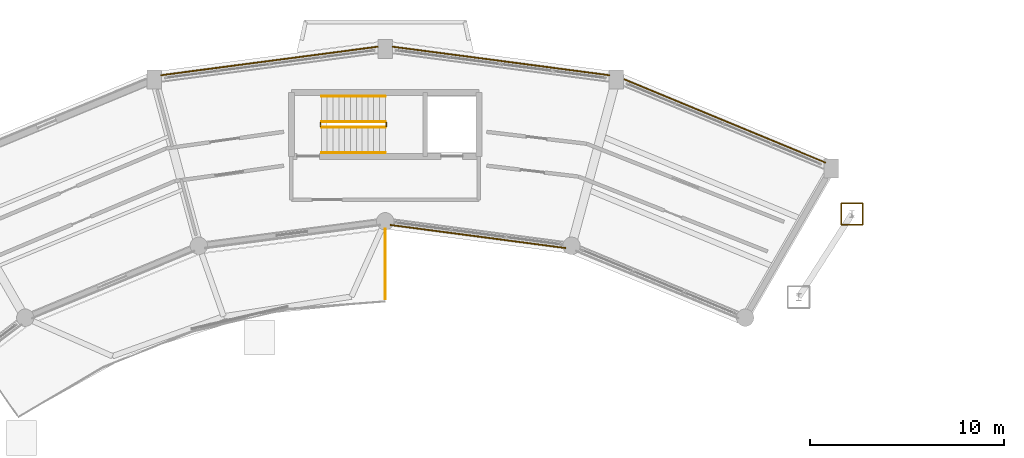
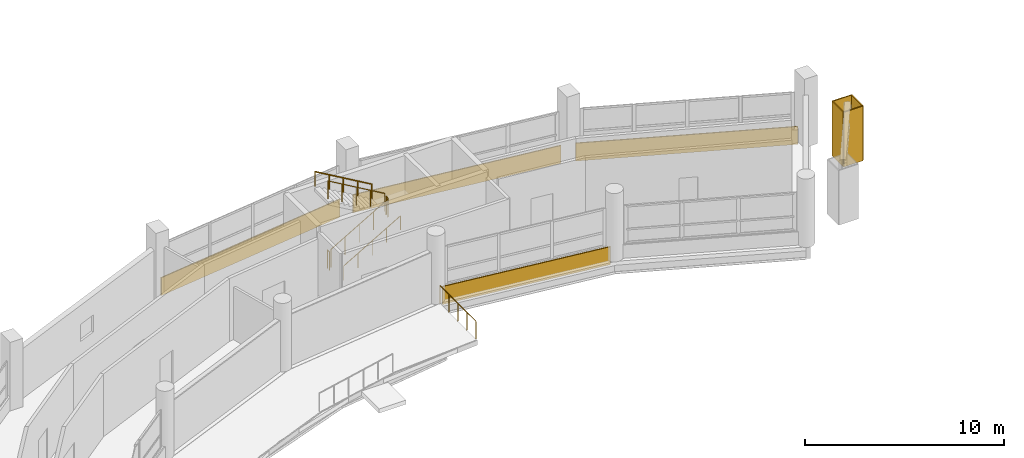
# One storey, part 126 of 128: 8 coverings, 7 railings.
"""IFC4 building model written with IfcOpenShell, lengths in metres."""

from ifc_helpers import new_model, si_unit, direction, frame, frame_2d, origin, origin_2d, place, context, subcontext, project, spatial, rectangle, circle, extrude, material, layer, layer_set, type_object, element, save


model = new_model("IFC4")

# Units and contexts
model_context = context("Model", 3, precision=1e-05, world=origin(), true_north=direction((0.0, 1.0)))
body_context = subcontext(model_context, "Body", "Model", "MODEL_VIEW")
ifc_project = project(units=[si_unit("LENGTHUNIT", "METRE"), si_unit("AREAUNIT", "SQUARE_METRE"), si_unit("VOLUMEUNIT", "CUBIC_METRE"), si_unit("PLANEANGLEUNIT", "RADIAN"), si_unit("MASSUNIT", "GRAM", prefix="KILO")], contexts=[model_context])

# Site, building, storey
site_placement = place(None, origin())
site = spatial("IfcSite", under=ifc_project, at=site_placement, CompositionType="ELEMENT")
building_placement = place(site_placement, origin())
building = spatial("IfcBuilding", under=site, at=building_placement, Name="Vespera Passage Community Centre", CompositionType="ELEMENT")
storey_placement = place(building_placement, frame((0.0, 0.0, 4.5)))
storey = spatial("IfcBuildingStorey", under=building, at=storey_placement, Name="L01", CompositionType="ELEMENT", Elevation=4.5)

# Coverings
ifc_material_1 = material(Name="Precast concrete f'c 40 MPa", Category="concrete")
ifc_layer = layer(ifc_material_1, 0.06005859375)
ifc_layer_set = layer_set([ifc_layer], Name="Precast concrete f'c 40 MPa")
covering_type = type_object("IfcCoveringType", Name="COV-CLAD-60E", PredefinedType="CLADDING", material=ifc_layer_set)
covering_1_placement = place(storey_placement, frame((101.561767578125, 102.513427734375, 0.0), z_axis=(0.0, 0.0, 1.0), x_axis=(1.0, 0.0, 0.0)))
element("IfcCovering", 1, at=covering_1_placement, inside=storey, type_object=covering_type, Name="Pylon 3.82 TO L01 White Architectural Casing 1", PredefinedType="CLADDING", context=body_context, shape_type="SweptSolid", body=[
    extrude(rectangle(XDim=1.119873046875, YDim=0.06005859375, at=frame_2d((0.56005859375, 0.0))), origin(), (0.0, 0.0, 1.0), 3.35009765625),
])
covering_2_placement = place(storey_placement, frame((102.681640625, 102.513427734375, 0.0), z_axis=(0.0, 0.0, 1.0), x_axis=(0.0, 1.0, 0.0)))
element("IfcCovering", 2, at=covering_2_placement, inside=storey, type_object=covering_type, Name="Pylon 3.82 TO L01 White Architectural Casing 2", PredefinedType="CLADDING", context=body_context, shape_type="SweptSolid", body=[
    extrude(rectangle(XDim=1.1201171875, YDim=0.06005859375, at=frame_2d((0.56005859375, 0.0))), origin(), (0.0, 0.0, 1.0), 3.35009765625),
])
covering_3_placement = place(storey_placement, frame((102.681640625, 103.633544921875, 0.0), z_axis=(0.0, 0.0, 1.0), x_axis=(-1.0, 0.0, 0.0)))
element("IfcCovering", 3, at=covering_3_placement, inside=storey, type_object=covering_type, Name="Pylon 3.82 TO L01 White Architectural Casing 3", PredefinedType="CLADDING", context=body_context, shape_type="SweptSolid", body=[
    extrude(rectangle(XDim=1.119873046875, YDim=0.06005859375, at=frame_2d((0.56005859375, 0.0))), origin(), (0.0, 0.0, 1.0), 3.35009765625),
])
covering_4_placement = place(storey_placement, frame((101.561767578125, 103.633544921875, 0.0), z_axis=(0.0, 0.0, 1.0), x_axis=(0.0, -1.0, 0.0)))
element("IfcCovering", 4, at=covering_4_placement, inside=storey, type_object=covering_type, Name="Pylon 3.82 TO L01 White Architectural Casing 4", PredefinedType="CLADDING", context=body_context, shape_type="SweptSolid", body=[
    extrude(rectangle(XDim=1.1201171875, YDim=0.06005859375, at=frame_2d((0.56005859375, 0.0))), origin(), (0.0, 0.0, 1.0), 3.35009765625),
])
covering_5_placement = place(storey_placement, frame((90.3486328125, 110.04052734375, -0.280029296875), z_axis=(0.0, 0.0, 1.0), x_axis=(0.923883530636, -0.382673779896, 0.0)))
element("IfcCovering", 5, at=covering_5_placement, inside=storey, type_object=covering_type, Name="V4 L01 Outer White Spandrel Band O4", PredefinedType="CLADDING", context=body_context, shape_type="SweptSolid", body=[
    extrude(rectangle(XDim=11.2724609375, YDim=0.06005859375, at=frame_2d((5.63623046875, 0.0))), origin(), (0.0, 0.0, 1.0), 1.10009765625),
])
covering_6_placement = place(storey_placement, frame((78.372314453125, 111.722412109375, -0.280029296875), z_axis=(0.0, 0.0, 1.0), x_axis=(0.991446004399, -0.130517509785, 0.0)))
element("IfcCovering", 6, at=covering_6_placement, inside=storey, type_object=covering_type, Name="V4 L01 Outer White Spandrel Band O5", PredefinedType="CLADDING", context=body_context, shape_type="SweptSolid", body=[
    extrude(rectangle(XDim=11.328125, YDim=0.06005859375, at=frame_2d((5.6640625, 0.0))), origin(), (0.0, 0.0, 1.0), 1.10009765625),
])
covering_7_placement = place(storey_placement, frame((87.332763671875, 101.31494140625, -0.280029296875), z_axis=(0.0, 0.0, 1.0), x_axis=(-0.99144567161, 0.13052003772, 0.0)))
element("IfcCovering", 7, at=covering_7_placement, inside=storey, type_object=covering_type, Name="V4 L01 Inner Court White Spandrel Band I5", PredefinedType="CLADDING", context=body_context, shape_type="SweptSolid", body=[
    extrude(rectangle(XDim=9.15625, YDim=0.06005859375, at=frame_2d((4.578125, 0.0))), origin(), (0.0, 0.0, 1.0), 1.10009765625),
])
covering_8_placement = place(storey_placement, frame((66.396484375, 110.243896484375, -0.280029296875), z_axis=(0.0, 0.0, 1.0), x_axis=(0.991446004399, 0.130517509785, 0.0)))
element("IfcCovering", 8, at=covering_8_placement, inside=storey, type_object=covering_type, Name="V4 L01 Outer White Spandrel Band O6", PredefinedType="CLADDING", context=body_context, shape_type="SweptSolid", body=[
    extrude(rectangle(XDim=11.328125, YDim=0.06005859375, at=frame_2d((5.6640625, 0.0))), origin(), (0.0, 0.0, 1.0), 1.10009765625),
])

# Railings
ifc_material_2 = material(Name="Steel ASTM A500 Grade C", Category="steel")
railing_type_1 = type_object("IfcRailingType", Name="RL-EXT-1100E", PredefinedType="GUARDRAIL", material=ifc_material_2)
railing_1_placement = place(storey_placement, frame((78.0, 102.300048828125, 0.0)))
element("IfcRailing", 9, at=railing_1_placement, inside=storey, type_object=railing_type_1, Name="Courtyard Gallery Terrace East End Guard", PredefinedType="GUARDRAIL", context=body_context, shape_type="SweptSolid", body=[
    extrude(circle(Radius=0.02392578125, at=origin_2d()), frame((0.0, 0.0, 1.09619140625), z_axis=(0.0, -1.0, 0.0), x_axis=(1.0, 0.0, 0.0)), (0.0, 0.0, 1.0), 3.6201171875),
    extrude(circle(Radius=0.02099609375, at=origin_2d()), origin(), (0.0, 0.0, 1.0), 1.072021484375),
    extrude(circle(Radius=0.02099609375, at=origin_2d()), frame((0.0, -0.905029296875, 0.0)), (0.0, 0.0, 1.0), 1.072021484375),
    extrude(circle(Radius=0.02099609375, at=origin_2d()), frame((0.0, -1.81005859375, 0.0)), (0.0, 0.0, 1.0), 1.072021484375),
    extrude(circle(Radius=0.02099609375, at=origin_2d()), frame((0.0, -2.715087890625, 0.0)), (0.0, 0.0, 1.0), 1.072021484375),
    extrude(circle(Radius=0.02099609375, at=origin_2d()), frame((0.0, -3.6201171875, 0.0)), (0.0, 0.0, 1.0), 1.072021484375),
])
ifc_material_3 = material(Name="Steel ASTM A500 Grade C", Category="steel")
railing_type_2 = type_object("IfcRailingType", Name="RL-HAND-900I", PredefinedType="HANDRAIL", material=ifc_material_3)
railing_2_placement = place(storey_placement, frame((74.705078125, 106.25, 0.175048828125)))
element("IfcRailing", 10, at=railing_2_placement, inside=storey, type_object=railing_type_2, Name="L01 ST06 stair handrail 1", PredefinedType="HANDRAIL", context=body_context, shape_type="SweptSolid", body=[
    extrude(circle(Radius=0.02392578125, at=origin_2d()), frame((0.0, 0.0, 0.8759765625), z_axis=(0.863760357493, 0.0, 0.503902812876), x_axis=(0.0, 1.0, 0.0)), (0.0, 0.0, 1.0), 3.8203125),
    extrude(circle(Radius=0.02099609375, at=origin_2d()), origin(), (0.0, 0.0, 1.0), 0.851806640625),
    extrude(circle(Radius=0.02099609375, at=origin_2d()), frame((0.824951171875, 0.0, 0.481201171875)), (0.0, 0.0, 1.0), 0.851806640625),
    extrude(circle(Radius=0.02099609375, at=origin_2d()), frame((1.64990234375, 0.0, 0.96240234375)), (0.0, 0.0, 1.0), 0.851806640625),
    extrude(circle(Radius=0.02099609375, at=origin_2d()), frame((2.474853515625, 0.0, 1.44384765625)), (0.0, 0.0, 1.0), 0.851806640625),
    extrude(circle(Radius=0.02099609375, at=origin_2d()), frame((3.2998046875, 0.0, 1.925048828125)), (0.0, 0.0, 1.0), 0.851806640625),
])
railing_3_placement = place(storey_placement, frame((78.0048828125, 109.14990234375, 2.27490234375)))
element("IfcRailing", 11, at=railing_3_placement, inside=storey, type_object=railing_type_2, Name="L01 ST06 stair handrail 2", PredefinedType="HANDRAIL", context=body_context, shape_type="SweptSolid", body=[
    extrude(circle(Radius=0.02392578125, at=origin_2d()), frame((0.0, 0.0, 0.8759765625), z_axis=(-0.863760357493, 0.0, 0.503902812876), x_axis=(0.0, -1.0, 0.0)), (0.0, 0.0, 1.0), 3.8203125),
    extrude(circle(Radius=0.02099609375, at=origin_2d()), origin(), (0.0, 0.0, 1.0), 0.851806640625),
    extrude(circle(Radius=0.02099609375, at=origin_2d()), frame((-0.824951171875, 0.0, 0.481201171875)), (0.0, 0.0, 1.0), 0.851806640625),
    extrude(circle(Radius=0.02099609375, at=origin_2d()), frame((-1.64990234375, 0.0, 0.96240234375)), (0.0, 0.0, 1.0), 0.851806640625),
    extrude(circle(Radius=0.02099609375, at=origin_2d()), frame((-2.474853515625, 0.0, 1.44384765625)), (0.0, 0.0, 1.0), 0.851806640625),
    extrude(circle(Radius=0.02099609375, at=origin_2d()), frame((-3.2998046875, 0.0, 1.925048828125)), (0.0, 0.0, 1.0), 0.851806640625),
])
ifc_material_4 = material(Name="Steel ASTM A500 Grade C", Category="steel")
railing_type_3 = type_object("IfcRailingType", Name="RL-STAIR-1100I", PredefinedType="GUARDRAIL", material=ifc_material_4)
railing_4_placement = place(storey_placement, frame((74.705078125, 107.550048828125, 0.175048828125)))
element("IfcRailing", 12, at=railing_4_placement, inside=storey, type_object=railing_type_3, Name="L01 ST06 stair guard 1", PredefinedType="GUARDRAIL", context=body_context, shape_type="SweptSolid", body=[
    extrude(circle(Radius=0.02392578125, at=origin_2d()), frame((0.0, 0.0, 1.09619140625), z_axis=(0.863760357493, 0.0, 0.503902812876), x_axis=(0.0, 1.0, 0.0)), (0.0, 0.0, 1.0), 3.8203125),
    extrude(circle(Radius=0.02099609375, at=origin_2d()), origin(), (0.0, 0.0, 1.0), 1.072021484375),
    extrude(circle(Radius=0.02099609375, at=origin_2d()), frame((0.824951171875, 0.0, 0.481201171875)), (0.0, 0.0, 1.0), 1.072021484375),
    extrude(circle(Radius=0.02099609375, at=origin_2d()), frame((1.64990234375, 0.0, 0.96240234375)), (0.0, 0.0, 1.0), 1.072021484375),
    extrude(circle(Radius=0.02099609375, at=origin_2d()), frame((2.474853515625, 0.0, 1.44384765625)), (0.0, 0.0, 1.0), 1.072021484375),
    extrude(circle(Radius=0.02099609375, at=origin_2d()), frame((3.2998046875, 0.0, 1.925048828125)), (0.0, 0.0, 1.0), 1.072021484375),
])
railing_5_placement = place(storey_placement, frame((78.054931640625, 107.60009765625, 2.10009765625)))
element("IfcRailing", 13, at=railing_5_placement, inside=storey, type_object=railing_type_3, Name="L01 ST06 stair guard 2", PredefinedType="GUARDRAIL", context=body_context, shape_type="SweptSolid", body=[
    extrude(circle(Radius=0.02392578125, at=origin_2d()), frame((0.0, 0.0, 1.09619140625), z_axis=(0.0, 1.0, 0.0), x_axis=(-1.0, 0.0, 0.0)), (0.0, 0.0, 1.0), 0.199951171875),
    extrude(circle(Radius=0.02099609375, at=origin_2d()), origin(), (0.0, 0.0, 1.0), 1.072021484375),
    extrude(circle(Radius=0.02099609375, at=origin_2d()), frame((0.0, 0.199951171875, 0.0)), (0.0, 0.0, 1.0), 1.072021484375),
])
railing_6_placement = place(storey_placement, frame((78.0048828125, 107.85009765625, 2.27490234375)))
element("IfcRailing", 14, at=railing_6_placement, inside=storey, type_object=railing_type_3, Name="L01 ST06 stair guard 3", PredefinedType="GUARDRAIL", context=body_context, shape_type="SweptSolid", body=[
    extrude(circle(Radius=0.02392578125, at=origin_2d()), frame((0.0, 0.0, 1.09619140625), z_axis=(-0.863760357493, 0.0, 0.503902812876), x_axis=(0.0, -1.0, 0.0)), (0.0, 0.0, 1.0), 3.8203125),
    extrude(circle(Radius=0.02099609375, at=origin_2d()), origin(), (0.0, 0.0, 1.0), 1.072021484375),
    extrude(circle(Radius=0.02099609375, at=origin_2d()), frame((-0.824951171875, 0.0, 0.481201171875)), (0.0, 0.0, 1.0), 1.072021484375),
    extrude(circle(Radius=0.02099609375, at=origin_2d()), frame((-1.64990234375, 0.0, 0.96240234375)), (0.0, 0.0, 1.0), 1.072021484375),
    extrude(circle(Radius=0.02099609375, at=origin_2d()), frame((-2.474853515625, 0.0, 1.44384765625)), (0.0, 0.0, 1.0), 1.072021484375),
    extrude(circle(Radius=0.02099609375, at=origin_2d()), frame((-3.2998046875, 0.0, 1.925048828125)), (0.0, 0.0, 1.0), 1.072021484375),
])
railing_7_placement = place(storey_placement, frame((74.655029296875, 107.60009765625, 0.0)))
element("IfcRailing", 15, at=railing_7_placement, inside=storey, type_object=railing_type_3, Name="L01 ST06 stair guard 4", PredefinedType="GUARDRAIL", context=body_context, shape_type="SweptSolid", body=[
    extrude(circle(Radius=0.02392578125, at=origin_2d()), frame((0.0, 0.0, 1.09619140625), z_axis=(0.0, 1.0, 0.0), x_axis=(-1.0, 0.0, 0.0)), (0.0, 0.0, 1.0), 0.199951171875),
    extrude(circle(Radius=0.02099609375, at=origin_2d()), origin(), (0.0, 0.0, 1.0), 1.072021484375),
    extrude(circle(Radius=0.02099609375, at=origin_2d()), frame((0.0, 0.199951171875, 0.0)), (0.0, 0.0, 1.0), 1.072021484375),
])

save(model, "model.ifc")
